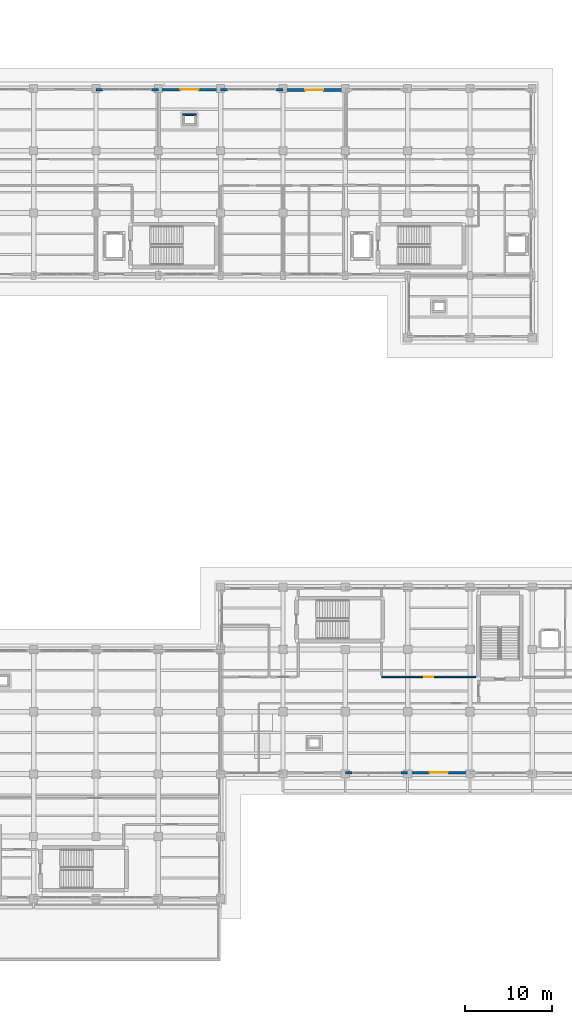
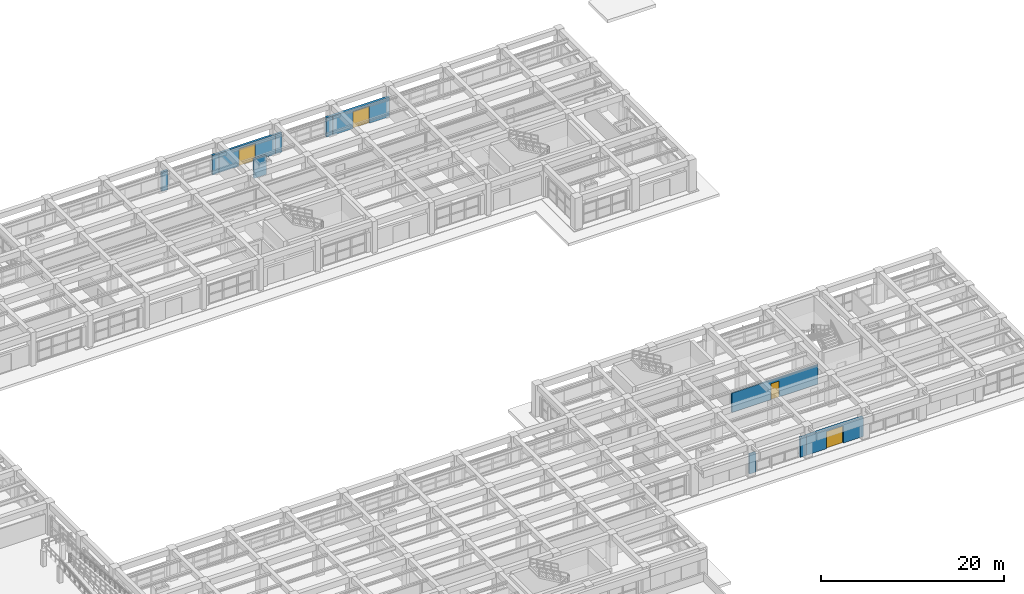
# One storey, part 46 of 64: 11 walls, 4 doors, 4 openings.
"""IFC4 building model written with IfcOpenShell, lengths in metres."""

from ifc_helpers import new_model, si_unit, direction, frame, frame_2d, origin, place, context, subcontext, project, spatial, rectangle, extrude, material, layer, layer_set, type_object, element, fill, save


model = new_model("IFC4")

# Units and contexts
model_context = context("Model", 3, precision=1e-05, world=origin(), true_north=direction((0.0, 1.0)))
body_context = subcontext(model_context, "Body", "Model", "MODEL_VIEW")
ifc_project = project(units=[si_unit("LENGTHUNIT", "METRE"), si_unit("AREAUNIT", "SQUARE_METRE"), si_unit("VOLUMEUNIT", "CUBIC_METRE"), si_unit("PLANEANGLEUNIT", "RADIAN"), si_unit("MASSUNIT", "GRAM", prefix="KILO")], contexts=[model_context])

# Site, building, storey
site_placement = place(None, origin())
site = spatial("IfcSite", under=ifc_project, at=site_placement, CompositionType="ELEMENT")
building_placement = place(site_placement, origin())
building = spatial("IfcBuilding", under=site, at=building_placement, Name="Solenvale Faculty of Natural Sciences", CompositionType="ELEMENT")
storey_placement = place(building_placement, origin())
storey = spatial("IfcBuildingStorey", under=building, at=storey_placement, Name="L00", CompositionType="ELEMENT", Elevation=0.0)

# Walls
ifc_material_1 = material(Name="Precast concrete 40 MPa", Category="concrete")
ifc_layer_1 = layer(ifc_material_1, 0.284912109375)
ifc_layer_set_1 = layer_set([ifc_layer_1], Name="Precast concrete 40 MPa")
wall_type_1 = type_object("IfcWallType", Name="WL-EXT-PRC-285", PredefinedType="STANDARD", material=ifc_layer_set_1)
wall_1_placement = place(storey_placement, frame((129.60009765625, 36.142578125, 0.0), z_axis=(0.0, 0.0, 1.0), x_axis=(1.0, 0.0, 0.0)))
element("IfcWall", 1, at=wall_1_placement, inside=storey, type_object=wall_type_1, Name="L00 Facade Closure Pier 5.B3-L", PredefinedType="STANDARD", context=body_context, shape_type="SweptSolid", body=[
    extrude(rectangle(XDim=0.787841796875, YDim=0.284912109375, at=frame_2d((0.39404296875, 0.0))), origin(), (0.0, 0.0, 1.0), 2.60009765625),
])
wall_2_placement = place(storey_placement, frame((136.011962890625, 36.142578125, 0.0), z_axis=(0.0, 0.0, 1.0), x_axis=(1.0, 0.0, 0.0)))
element("IfcWall", 2, at=wall_2_placement, inside=storey, type_object=wall_type_1, Name="L00 Facade Closure Pier 5.B3-R", PredefinedType="STANDARD", context=body_context, shape_type="SweptSolid", body=[
    extrude(rectangle(XDim=0.7880859375, YDim=0.284912109375, at=frame_2d((0.39404296875, 0.0))), origin(), (0.0, 0.0, 1.0), 2.60009765625),
])

# Wall, opening, door
wall_3_placement = place(storey_placement, frame((108.0, 115.0576171875, 0.0), z_axis=(0.0, 0.0, 1.0), x_axis=(1.0, 0.0, 0.0)))
wall_3 = element("IfcWall", 3, at=wall_3_placement, inside=storey, type_object=wall_type_1, Name="L00 Exterior Wall 17.6", PredefinedType="STANDARD", context=body_context, shape_type="SweptSolid", body=[
    extrude(rectangle(XDim=7.199951171875, YDim=0.284912109375, at=frame_2d((3.60009765625, 0.0))), origin(), (0.0, 0.0, 1.0), 2.60009765625),
])
opening_1_placement = place(wall_3_placement, frame((2.550048828125, 0.0, 0.0)))
opening_1 = element("IfcOpeningElement", 4, at=opening_1_placement, cuts=wall_3, Name="Opening EX-21", PredefinedType="OPENING", context=body_context, shape_type="SweptSolid", body=[
    extrude(rectangle(XDim=2.10009765625, YDim=2.300048828125, at=frame_2d((1.050048828125, 1.14990234375))), frame((0.0, 0.15234375, 0.0), z_axis=(0.0, -1.0, 0.0), x_axis=(1.0, 0.0, 0.0)), (0.0, 0.0, 1.0), 0.304931640625),
])
ifc_material_2 = material(Name="Anodised bronze aluminium", Category="aluminium")
door_type_1 = type_object("IfcDoorType", Name="DR-EXT-2100x2300", OperationType="NOTDEFINED", PredefinedType="DOOR", material=ifc_material_2)
door_1_placement = place(opening_1_placement, origin())
door_1 = element("IfcDoor", 5, at=door_1_placement, inside=storey, type_object=door_type_1, Name="L00 Exterior Exit Door EX-21", OperationType="DOUBLE_DOOR_SINGLE_SWING", OverallHeight=2.300048828125, OverallWidth=2.10009765625, PredefinedType="DOOR", context=body_context, shape_type="SweptSolid", body=[
    extrude(rectangle(XDim=2.10009765625, YDim=2.300048828125, at=frame_2d((1.050048828125, 1.14990234375))), frame((0.0, 0.02490234375, 0.0), z_axis=(0.0, -1.0, 0.0), x_axis=(1.0, 0.0, 0.0)), (0.0, 0.0, 1.0), 0.050048828125),
])
fill(opening_1, door_1)

# Walls
wall_4_placement = place(storey_placement, frame((122.39990234375, 115.0576171875, 0.0), z_axis=(0.0, 0.0, 1.0), x_axis=(-1.0, 0.0, 0.0)))
element("IfcWall", 6, at=wall_4_placement, inside=storey, type_object=wall_type_1, Name="L00 Facade Closure Pier 17.B5-L", PredefinedType="STANDARD", context=body_context, shape_type="SweptSolid", body=[
    extrude(rectangle(XDim=0.787841796875, YDim=0.284912109375, at=frame_2d((0.39404296875, 0.0))), origin(), (0.0, 0.0, 1.0), 2.60009765625),
])
for number, where, z_axis, x_axis, name in (
    (7, (115.988037109375, 115.0576171875, 0.0), (0.0, 0.0, 1.0), (-1.0, 0.0, 0.0), "L00 Facade Closure Pier 17.B5-R"),
    (8, (108.0, 115.0576171875, 0.0), (0.0, 0.0, 1.0), (-1.0, 0.0, 0.0), "L00 Facade Closure Pier 17.B7-L"),
):
    element("IfcWall", number, at=place(storey_placement, frame(where, z_axis=z_axis, x_axis=x_axis)), inside=storey, type_object=wall_type_1, Name=name, PredefinedType="STANDARD", context=body_context, shape_type="SweptSolid", body=[
        extrude(rectangle(XDim=0.7880859375, YDim=0.284912109375, at=frame_2d((0.39404296875, 0.0))), origin(), (0.0, 0.0, 1.0), 2.60009765625),
    ])
wall_5_placement = place(storey_placement, frame((101.587890625, 115.0576171875, 0.0), z_axis=(0.0, 0.0, 1.0), x_axis=(-1.0, 0.0, 0.0)))
element("IfcWall", 9, at=wall_5_placement, inside=storey, type_object=wall_type_1, Name="L00 Facade Closure Pier 17.B7-R", PredefinedType="STANDARD", context=body_context, shape_type="SweptSolid", body=[
    extrude(rectangle(XDim=0.787841796875, YDim=0.284912109375, at=frame_2d((0.39404296875, 0.0))), origin(), (0.0, 0.0, 1.0), 2.60009765625),
])

# Wall, opening, door
ifc_layer_2 = layer(ifc_material_1, 0.330078125)
ifc_layer_set_2 = layer_set([ifc_layer_2], Name="Precast concrete 40 MPa")
wall_type_2 = type_object("IfcWallType", Name="WL-EXT-PRC-330", PredefinedType="STANDARD", material=ifc_layer_set_2)
wall_6_placement = place(storey_placement, frame((144.0, 36.1650390625, 0.0), z_axis=(0.0, 0.0, 1.0), x_axis=(-1.0, 0.0, 0.0)))
wall_6 = element("IfcWall", 10, at=wall_6_placement, inside=storey, type_object=wall_type_2, Name="L00 Exterior Wall 5.4", PredefinedType="STANDARD", context=body_context, shape_type="SweptSolid", body=[
    extrude(rectangle(XDim=7.199951171875, YDim=0.330078125, at=frame_2d((3.60009765625, 0.0))), origin(), (0.0, 0.0, 1.0), 2.60009765625),
])
opening_2_placement = place(wall_6_placement, frame((2.550048828125, 0.0, 0.0)))
opening_2 = element("IfcOpeningElement", 11, at=opening_2_placement, cuts=wall_6, Name="Opening EX-07", PredefinedType="OPENING", context=body_context, shape_type="SweptSolid", body=[
    extrude(rectangle(XDim=2.10009765625, YDim=2.300048828125, at=frame_2d((1.050048828125, 1.14990234375))), frame((0.0, 0.175048828125, 0.0), z_axis=(0.0, -1.0, 0.0), x_axis=(1.0, 0.0, 0.0)), (0.0, 0.0, 1.0), 0.35009765625),
])
door_2_placement = place(opening_2_placement, origin())
door_2 = element("IfcDoor", 12, at=door_2_placement, inside=storey, type_object=door_type_1, Name="L00 Exterior Exit Door EX-07", OperationType="DOUBLE_DOOR_SINGLE_SWING", OverallHeight=2.300048828125, OverallWidth=2.10009765625, PredefinedType="DOOR", context=body_context, shape_type="SweptSolid", body=[
    extrude(rectangle(XDim=2.10009765625, YDim=2.300048828125, at=frame_2d((1.050048828125, 1.14990234375))), frame((0.0, 0.02490234375, 0.0), z_axis=(0.0, -1.0, 0.0), x_axis=(1.0, 0.0, 0.0)), (0.0, 0.0, 1.0), 0.050048828125),
])
fill(opening_2, door_2)

wall_7_placement = place(storey_placement, frame((122.39990234375, 115.034912109375, 0.0), z_axis=(0.0, 0.0, 1.0), x_axis=(1.0, 0.0, 0.0)))
wall_7 = element("IfcWall", 13, at=wall_7_placement, inside=storey, type_object=wall_type_2, Name="L00 Exterior Wall 17.4", PredefinedType="STANDARD", context=body_context, shape_type="SweptSolid", body=[
    extrude(rectangle(XDim=7.2001953125, YDim=0.330078125, at=frame_2d((3.60009765625, 0.0))), origin(), (0.0, 0.0, 1.0), 2.60009765625),
])
opening_3_placement = place(wall_7_placement, frame((2.550048828125, 0.0, 0.0)))
opening_3 = element("IfcOpeningElement", 14, at=opening_3_placement, cuts=wall_7, Name="Opening EX-20", PredefinedType="OPENING", context=body_context, shape_type="SweptSolid", body=[
    extrude(rectangle(XDim=2.10009765625, YDim=2.300048828125, at=frame_2d((1.050048828125, 1.14990234375))), frame((0.0, 0.175048828125, 0.0), z_axis=(0.0, -1.0, 0.0), x_axis=(1.0, 0.0, 0.0)), (0.0, 0.0, 1.0), 0.35009765625),
])
door_3_placement = place(opening_3_placement, origin())
door_3 = element("IfcDoor", 15, at=door_3_placement, inside=storey, type_object=door_type_1, Name="L00 Exterior Exit Door EX-20", OperationType="DOUBLE_DOOR_SINGLE_SWING", OverallHeight=2.300048828125, OverallWidth=2.10009765625, PredefinedType="DOOR", context=body_context, shape_type="SweptSolid", body=[
    extrude(rectangle(XDim=2.10009765625, YDim=2.300048828125, at=frame_2d((1.050048828125, 1.14990234375))), frame((0.0, 0.02490234375, 0.0), z_axis=(0.0, -1.0, 0.0), x_axis=(1.0, 0.0, 0.0)), (0.0, 0.0, 1.0), 0.050048828125),
])
fill(opening_3, door_3)

ifc_material_3 = material(Name="Acoustic double-stud gypsum partition")
ifc_layer_3 = layer(ifc_material_3, 0.169921875)
ifc_layer_set_3 = layer_set([ifc_layer_3], Name="Acoustic double-stud gypsum partition")
wall_type_3 = type_object("IfcWallType", Name="WL-SEM-170", PredefinedType="PARTITIONING", material=ifc_layer_set_3)
wall_8_placement = place(storey_placement, frame((144.6630859375, 47.219970703125, 0.0), z_axis=(0.0, 0.0, 1.0), x_axis=(-1.0, 0.0, 0.0)))
wall_8 = element("IfcWall", 16, at=wall_8_placement, inside=storey, type_object=wall_type_3, Name="L00 Learning Commons Partition 7", PredefinedType="PARTITIONING", context=body_context, shape_type="SweptSolid", body=[
    extrude(rectangle(XDim=10.863037109375, YDim=0.169921875, at=frame_2d((5.431640625, 0.0))), origin(), (0.0, 0.0, 1.0), 2.60009765625),
])
opening_4_placement = place(wall_8_placement, frame((4.906005859375, 0.0, 0.0)))
opening_4 = element("IfcOpeningElement", 17, at=opening_4_placement, cuts=wall_8, Name="Opening D-L00-14", PredefinedType="OPENING", context=body_context, shape_type="SweptSolid", body=[
    extrude(rectangle(XDim=1.050048828125, YDim=2.14990234375, at=frame_2d((0.52490234375, 1.074951171875))), frame((0.0, 0.094970703125, 0.0), z_axis=(0.0, -1.0, 0.0), x_axis=(1.0, 0.0, 0.0)), (0.0, 0.0, 1.0), 0.18994140625),
])
ifc_material_4 = material(Name="Oak acoustic timber leaf", Category="wood")
door_type_2 = type_object("IfcDoorType", Name="DR-SEM-1050x2150", OperationType="NOTDEFINED", PredefinedType="DOOR", material=ifc_material_4)
door_4_placement = place(opening_4_placement, origin())
door_4 = element("IfcDoor", 18, at=door_4_placement, inside=storey, type_object=door_type_2, Name="L00 Learning Commons Door", OperationType="SINGLE_SWING_RIGHT", OverallHeight=2.14990234375, OverallWidth=1.050048828125, PredefinedType="DOOR", context=body_context, shape_type="SweptSolid", body=[
    extrude(rectangle(XDim=1.050048828125, YDim=2.14990234375, at=frame_2d((0.52490234375, 1.074951171875))), frame((0.0, 0.02490234375, 0.0), z_axis=(0.0, -1.0, 0.0), x_axis=(1.0, 0.0, 0.0)), (0.0, 0.0, 1.0), 0.050048828125),
])
fill(opening_4, door_4)

# Wall
ifc_material_5 = material(Name="Concrete 40 MPa", Category="concrete")
ifc_layer_4 = layer(ifc_material_5, 0.219970703125)
ifc_layer_set_4 = layer_set([ifc_layer_4], Name="Concrete 40 MPa")
wall_type_4 = type_object("IfcWallType", Name="WL-SHF-220", PredefinedType="STANDARD", material=ifc_layer_set_4)
wall_9_placement = place(storey_placement, frame((110.830078125, 112.159912109375, 0.0), z_axis=(0.0, 0.0, 1.0), x_axis=(1.0, 0.0, 0.0)))
element("IfcWall", 19, at=wall_9_placement, inside=storey, type_object=wall_type_4, Name="L00 Service Riser Shaft 9 Wall N", PredefinedType="STANDARD", context=body_context, shape_type="SweptSolid", body=[
    extrude(rectangle(XDim=1.5400390625, YDim=0.219970703125, at=frame_2d((0.77001953125, 0.0))), origin(), (0.0, 0.0, 1.0), 2.60009765625),
])

save(model, "model.ifc")
